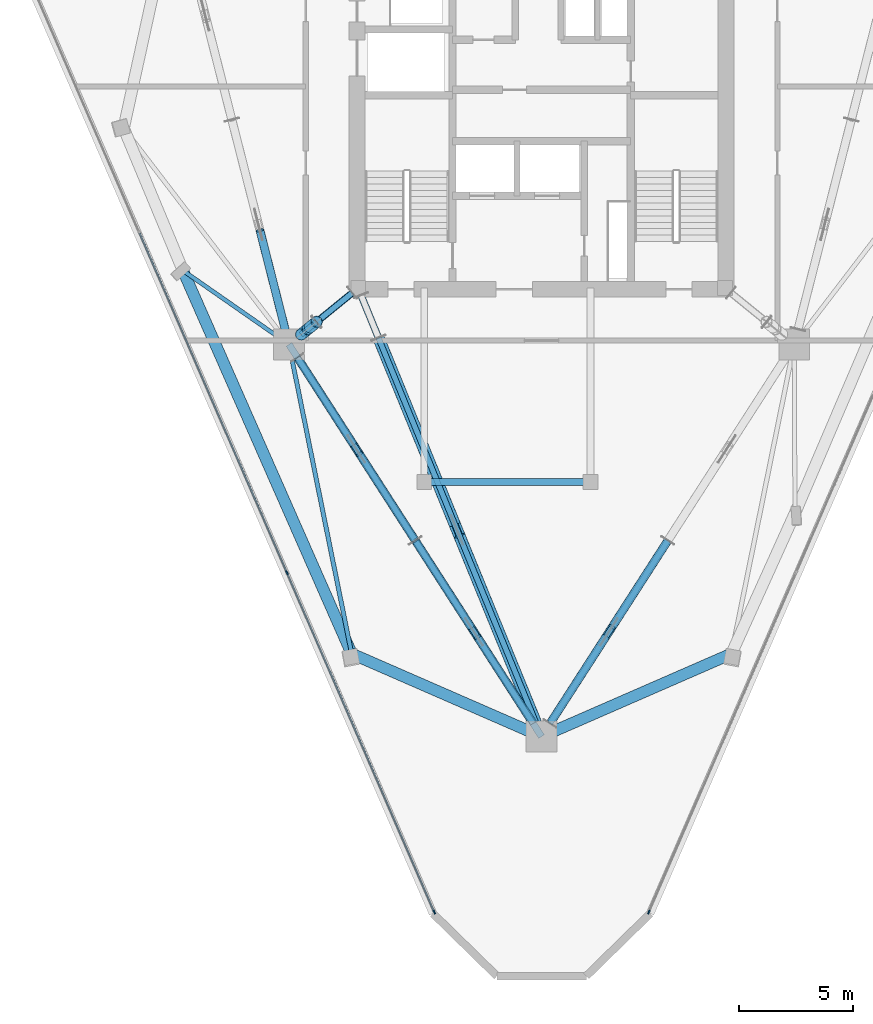
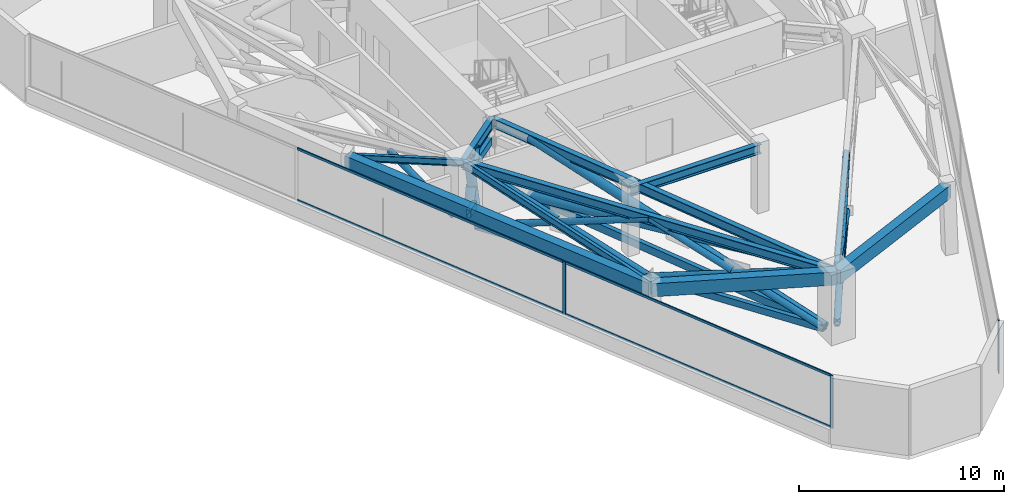
# One storey, part 2 of 12: 35 members, 9 beams, 2 elements without a shape of their own.
"""IFC4 building model written with IfcOpenShell, lengths in metres."""

from ifc_helpers import new_model, si_unit, direction, frame, origin, origin_2d, place, context, subcontext, project, spatial, rectangle, hollow_rectangle, hollow_circle, i_section, extrude, material, layer, layer_set, material_profile, profile_set, type_object, element, aggregate, save


model = new_model("IFC4")

# Units and contexts
model_context = context("Model", 3, precision=1e-05, world=origin(), true_north=direction((0.0, 1.0)))
body_context = subcontext(model_context, "Body", "Model", "MODEL_VIEW")
ifc_project = project(units=[si_unit("LENGTHUNIT", "METRE"), si_unit("AREAUNIT", "SQUARE_METRE"), si_unit("VOLUMEUNIT", "CUBIC_METRE"), si_unit("PLANEANGLEUNIT", "RADIAN"), si_unit("MASSUNIT", "GRAM", prefix="KILO")], contexts=[model_context])

# Site, building, storey
site_placement = place(None, origin())
site = spatial("IfcSite", under=ifc_project, at=site_placement, CompositionType="ELEMENT")
building_placement = place(site_placement, origin())
building = spatial("IfcBuilding", under=site, at=building_placement, Name="Talyreon Biosciences Tower", CompositionType="ELEMENT")
storey_placement = place(building_placement, frame((0.0, 0.0, 227.39990234375)))
storey = spatial("IfcBuildingStorey", under=building, at=storey_placement, Name="L60", CompositionType="ELEMENT", Elevation=227.39990234375)

# Members
ifc_material_1 = material(Name="Steel SM355", Category="steel")
ifc_material_profile_1 = material_profile(ifc_material_1, hollow_circle(Radius=0.177734375, WallThickness=0.01416015625, at=origin_2d()), Name="CHS 355.6x14.2")
ifc_profile_set_1 = profile_set([ifc_material_profile_1], Name="Steel SM355")
member_type_1 = type_object("IfcMemberType", Name="BeltBrace_CHS355", PredefinedType="BRACE", material=ifc_profile_set_1)
member_1_placement = place(storey_placement, frame((66.370849609375, 42.242919921875, 0.239990234375), z_axis=(0.509105929508, 0.790452678432, 0.340581437691), x_axis=(-0.840714795455, 0.541478192269, 0.0)))
element("IfcMember", 1, at=member_1_placement, inside=storey, type_object=member_type_1, Name="L60 Continuous Diagonal BELT-L60-B1S1A", PredefinedType="BRACE", context=body_context, shape_type="SweptSolid", body=[
    extrude(hollow_circle(Radius=0.177734375, WallThickness=0.01416015625, at=origin_2d()), origin(), (0.0, 0.0, 1.0), 10.15966796875),
])
for number, where, z_axis, x_axis, name in (
    (2, (71.543212890625, 50.273681640625, 0.239990234375), (-0.509089253935, -0.790464191768, 0.340579642757), (0.840726459493, -0.541460081916, 0.0), "L60 Split Diagonal BELT-L60-B1S1B-Lower"),
    (3, (68.814453125, 46.037109375, 2.0654296875), (-0.509089253935, -0.790464191768, 0.340579642757), (0.840726459493, -0.541460081916, 0.0), "L60 Split Diagonal BELT-L60-B1S1B-Upper"),
):
    element("IfcMember", number, at=place(storey_placement, frame(where, z_axis=z_axis, x_axis=x_axis)), inside=storey, type_object=member_type_1, Name=name, PredefinedType="BRACE", context=body_context, shape_type="SweptSolid", body=[
        extrude(hollow_circle(Radius=0.177734375, WallThickness=0.01416015625, at=origin_2d()), origin(), (0.0, 0.0, 1.0), 4.800048828125),
    ])
member_2_placement = place(storey_placement, frame((54.744873046875, 59.544189453125, 0.239990234375), z_axis=(-0.23161064965, 0.910472980326, 0.34263020746), x_axis=(-0.969134341584, -0.246533218781, 0.0)))
element("IfcMember", 4, at=member_2_placement, inside=storey, type_object=member_type_1, Name="L60 Split Diagonal BELT-L60-B5S2B-Lower", PredefinedType="BRACE", context=body_context, shape_type="SweptSolid", body=[
    extrude(hollow_circle(Radius=0.177734375, WallThickness=0.01416015625, at=origin_2d()), origin(), (0.0, 0.0, 1.0), 4.769775390625),
])
member_3_placement = place(storey_placement, frame((55.28466796875, 58.304443359375, 0.239990234375), z_axis=(0.509088127268, -0.790462348754, 0.340585604332), x_axis=(0.840726430295, 0.541460127251, 0.0)))
element("IfcMember", 5, at=member_3_placement, inside=storey, type_object=member_type_1, Name="L60 Continuous Diagonal BELT-L60-B6S1A", PredefinedType="BRACE", context=body_context, shape_type="SweptSolid", body=[
    extrude(hollow_circle(Radius=0.177734375, WallThickness=0.01416015625, at=origin_2d()), origin(), (0.0, 0.0, 1.0), 10.15966796875),
])
member_4_placement = place(storey_placement, frame((60.456787109375, 50.273681640625, 0.239990234375), z_axis=(-0.509089253935, 0.790464191768, 0.340579642757), x_axis=(-0.840726459493, -0.541460081916, 0.0)))
element("IfcMember", 6, at=member_4_placement, inside=storey, type_object=member_type_1, Name="L60 Split Diagonal BELT-L60-B6S1B-Lower", PredefinedType="BRACE", context=body_context, shape_type="SweptSolid", body=[
    extrude(hollow_circle(Radius=0.177734375, WallThickness=0.01416015625, at=origin_2d()), origin(), (0.0, 0.0, 1.0), 4.800048828125),
])
member_5_placement = place(storey_placement, frame((57.728271484375, 54.510498046875, 2.0654296875), z_axis=(-0.509109722698, 0.790445108475, 0.340593336316), x_axis=(-0.840710598211, -0.541484708977, 0.0)))
element("IfcMember", 7, at=member_5_placement, inside=storey, type_object=member_type_1, Name="L60 Split Diagonal BELT-L60-B6S1B-Upper", PredefinedType="BRACE", context=body_context, shape_type="SweptSolid", body=[
    extrude(hollow_circle(Radius=0.177734375, WallThickness=0.01416015625, at=origin_2d()), origin(), (0.0, 0.0, 1.0), 4.7998046875),
])
member_6_placement = place(storey_placement, frame((60.456787109375, 50.273681640625, 0.239990234375), z_axis=(0.509105929508, -0.790452678432, 0.340581437691), x_axis=(0.840714795455, 0.541478192269, 0.0)))
element("IfcMember", 8, at=member_6_placement, inside=storey, type_object=member_type_1, Name="L60 Continuous Diagonal BELT-L60-B6S2A", PredefinedType="BRACE", context=body_context, shape_type="SweptSolid", body=[
    extrude(hollow_circle(Radius=0.177734375, WallThickness=0.01416015625, at=origin_2d()), origin(), (0.0, 0.0, 1.0), 10.15966796875),
])
for number, where, z_axis, x_axis, name in (
    (9, (65.629150390625, 42.242919921875, 0.239990234375), (-0.509089253935, 0.790464191768, 0.340579642757), (-0.840726459493, -0.541460081916, 0.0), "L60 Split Diagonal BELT-L60-B6S2B-Lower"),
    (10, (62.900390625, 46.4794921875, 2.0654296875), (-0.509089253935, 0.790464191768, 0.340579642757), (-0.840726459493, -0.541460081916, 0.0), "L60 Split Diagonal BELT-L60-B6S2B-Upper"),
):
    element("IfcMember", number, at=place(storey_placement, frame(where, z_axis=z_axis, x_axis=x_axis)), inside=storey, type_object=member_type_1, Name=name, PredefinedType="BRACE", context=body_context, shape_type="SweptSolid", body=[
        extrude(hollow_circle(Radius=0.177734375, WallThickness=0.01416015625, at=origin_2d()), origin(), (0.0, 0.0, 1.0), 4.800048828125),
    ])
ifc_material_profile_2 = material_profile(ifc_material_1, hollow_rectangle(XDim=0.25, YDim=0.39990234375, WallThickness=0.01611328125, at=origin_2d()), Name="RHS 400x250x16")
ifc_profile_set_2 = profile_set([ifc_material_profile_2], Name="Steel SM355")
member_type_2 = type_object("IfcMemberType", Name="BeltChord_RHS400x250", PredefinedType="CHORD", material=ifc_profile_set_2)
for number, where, z_axis, x_axis, name in (
    (11, (66.370849609375, 42.242919921875, 0.239990234375), (0.541478192269, 0.840714795455, 0.0), (-0.840714795455, 0.541478192269, 0.0), "L60 Truss Bottom Chord BELT-L60-B1S1"),
    (12, (66.370849609375, 42.242919921875, 3.7001953125), (0.541478192269, 0.840714795455, 0.0), (-0.840714795455, 0.541478192269, 0.0), "L60 Truss Top Chord BELT-L60-B1S1"),
    (13, (55.28466796875, 58.304443359375, 0.239990234375), (0.541460127251, -0.840726430295, 0.0), (0.840726430295, 0.541460127251, 0.0), "L60 Truss Bottom Chord BELT-L60-B6S1"),
    (14, (55.28466796875, 58.304443359375, 3.7001953125), (0.541460127251, -0.840726430295, 0.0), (0.840726430295, 0.541460127251, 0.0), "L60 Truss Top Chord BELT-L60-B6S1"),
    (15, (60.456787109375, 50.273681640625, 0.239990234375), (0.541478192269, -0.840714795455, 0.0), (0.840714795455, 0.541478192269, 0.0), "L60 Truss Bottom Chord BELT-L60-B6S2"),
    (16, (60.456787109375, 50.273681640625, 3.7001953125), (0.541478192269, -0.840714795455, 0.0), (0.840714795455, 0.541478192269, 0.0), "L60 Truss Top Chord BELT-L60-B6S2"),
):
    element("IfcMember", number, at=place(storey_placement, frame(where, z_axis=z_axis, x_axis=x_axis)), inside=storey, type_object=member_type_2, Name=name, PredefinedType="CHORD", context=body_context, shape_type="SweptSolid", body=[
        extrude(hollow_rectangle(XDim=0.25, YDim=0.39990234375, WallThickness=0.01611328125, at=origin_2d()), origin(), (0.0, 0.0, 1.0), 9.55224609375),
    ])

# Curtain wall, members
ifc_material_2 = material(Name="Thermally broken aluminium and low-E glazing", Category="aluminium")
ifc_layer = layer(ifc_material_2, 0.179931640625)
ifc_layer_set = layer_set([ifc_layer], Name="Thermally broken aluminium and low-E glazing")
curtain_wall_type = type_object("IfcCurtainWallType", Name="CurtainWall_Zone4Optical", PredefinedType="NOTDEFINED", material=ifc_layer_set)
curtain_wall_1_placement = place(storey_placement, origin())
curtain_wall_1 = element("IfcCurtainWall", 17, at=curtain_wall_1_placement, inside=storey, type_object=curtain_wall_type, Name="L60 Unitised Curtain Wall FCW-L60-00", PredefinedType="NOTDEFINED")
ifc_material_3 = material(Name="Anodised thermally broken aluminium", Category="aluminium")
ifc_material_profile_3 = material_profile(ifc_material_3, rectangle(XDim=0.06494140625, YDim=0.179931640625, at=origin_2d()), Name="ALUM MULLION 65x180")
ifc_profile_set_3 = profile_set([ifc_material_profile_3], Name="Anodised thermally broken aluminium")
member_type_3 = type_object("IfcMemberType", Name="CWMullion_65x180", PredefinedType="MULLION", material=ifc_profile_set_3)
member_7_placement = place(storey_placement, frame((61.290283203125, 33.96142578125, 0.81005859375), z_axis=(0.0, 0.0, 1.0), x_axis=(-0.917336640876, -0.398112405366, 0.0)))
member_7 = element("IfcMember", 18, at=member_7_placement, type_object=member_type_3, Name="CW5 mullion 1", PredefinedType="MULLION", context=body_context, shape_type="SweptSolid", body=[
    extrude(rectangle(XDim=0.06494140625, YDim=0.179931640625, at=origin_2d()), origin(), (0.0, 0.0, 1.0), 3.14013671875),
])
member_8_placement = place(storey_placement, frame((54.824951171875, 48.85888671875, 0.81005859375), z_axis=(0.0, 0.0, 1.0), x_axis=(-0.917336640876, -0.398112405366, 0.0)))
member_8 = element("IfcMember", 19, at=member_8_placement, type_object=member_type_3, Name="CW5 mullion 2", PredefinedType="MULLION", context=body_context, shape_type="SweptSolid", body=[
    extrude(rectangle(XDim=0.06494140625, YDim=0.179931640625, at=origin_2d()), origin(), (0.0, 0.0, 1.0), 3.14013671875),
])

# Curtain wall, member
curtain_wall_2_placement = place(storey_placement, origin())
curtain_wall_2 = element("IfcCurtainWall", 20, at=curtain_wall_2_placement, inside=storey, type_object=curtain_wall_type, Name="L60 Unitised Curtain Wall FCW-L60-08", PredefinedType="NOTDEFINED")
member_9_placement = place(storey_placement, frame((70.709716796875, 33.96142578125, 0.81005859375), z_axis=(0.0, 0.0, 1.0), x_axis=(0.917336640876, -0.398112405366, 0.0)))
member_9 = element("IfcMember", 21, at=member_9_placement, type_object=member_type_3, Name="CW5 mullion 4", PredefinedType="MULLION", context=body_context, shape_type="SweptSolid", body=[
    extrude(rectangle(XDim=0.06494140625, YDim=0.179931640625, at=origin_2d()), origin(), (0.0, 0.0, 1.0), 3.14013671875),
])
aggregate(curtain_wall_2, [member_9])

# Member
ifc_material_profile_4 = material_profile(ifc_material_3, rectangle(XDim=0.06494140625, YDim=0.139892578125, at=origin_2d()), Name="ALUM TRANSOM 65x140")
ifc_profile_set_4 = profile_set([ifc_material_profile_4], Name="Anodised thermally broken aluminium")
member_type_4 = type_object("IfcMemberType", Name="CWTransom_65x140", PredefinedType="USERDEFINED", material=ifc_profile_set_4)
member_10_placement = place(storey_placement, frame((61.27734375, 33.9912109375, 0.842529296875), z_axis=(-0.398117802668, 0.917334298497, 0.0), x_axis=(-0.917334298497, -0.398117802668, 0.0)))
member_10 = element("IfcMember", 22, at=member_10_placement, type_object=member_type_4, Name="CW5 transom 1.1", ObjectType="TRANSOM", PredefinedType="USERDEFINED", context=body_context, shape_type="SweptSolid", body=[
    extrude(rectangle(XDim=0.06494140625, YDim=0.139892578125, at=origin_2d()), origin(), (0.0, 0.0, 1.0), 16.1748046875),
])

member_11_placement = place(storey_placement, frame((61.27734375, 33.9912109375, 3.91748046875), z_axis=(-0.398117802668, 0.917334298497, 0.0), x_axis=(-0.917334298497, -0.398117802668, 0.0)))
member_11 = element("IfcMember", 23, at=member_11_placement, type_object=member_type_4, Name="CW5 transom 1.2", ObjectType="TRANSOM", PredefinedType="USERDEFINED", context=body_context, shape_type="SweptSolid", body=[
    extrude(rectangle(XDim=0.06494140625, YDim=0.139892578125, at=origin_2d()), origin(), (0.0, 0.0, 1.0), 16.1748046875),
])

member_12_placement = place(storey_placement, frame((54.81201171875, 48.888671875, 0.842529296875), z_axis=(-0.398118470733, 0.91733400856, 0.0), x_axis=(-0.91733400856, -0.398118470733, 0.0)))
member_12 = element("IfcMember", 24, at=member_12_placement, type_object=member_type_4, Name="CW5 transom 2.1", ObjectType="TRANSOM", PredefinedType="USERDEFINED", context=body_context, shape_type="SweptSolid", body=[
    extrude(rectangle(XDim=0.06494140625, YDim=0.139892578125, at=origin_2d()), origin(), (0.0, 0.0, 1.0), 16.207275390625),
])

member_13_placement = place(storey_placement, frame((54.81201171875, 48.888671875, 3.91748046875), z_axis=(-0.398118470733, 0.91733400856, 0.0), x_axis=(-0.91733400856, -0.398118470733, 0.0)))
member_13 = element("IfcMember", 25, at=member_13_placement, type_object=member_type_4, Name="CW5 transom 2.2", ObjectType="TRANSOM", PredefinedType="USERDEFINED", context=body_context, shape_type="SweptSolid", body=[
    extrude(rectangle(XDim=0.06494140625, YDim=0.139892578125, at=origin_2d()), origin(), (0.0, 0.0, 1.0), 16.207275390625),
])

aggregate(curtain_wall_1, [member_7, member_8, member_10, member_11, member_12, member_13])

# Beams
ifc_material_4 = material(Name="Precast concrete C45/55", Category="concrete")
ifc_material_profile_5 = material_profile(ifc_material_4, rectangle(XDim=0.5, YDim=0.780029296875, at=origin_2d()), Name="RCB 500x780")
ifc_profile_set_5 = profile_set([ifc_material_profile_5], Name="Precast concrete C45/55")
beam_type_1 = type_object("IfcBeamType", Name="ExpressedSpandrel_500x780", PredefinedType="SPANDREL", material=ifc_profile_set_5)
beam_1_placement = place(storey_placement, frame((66.0, 41.6669921875, 3.56005859375), z_axis=(0.916525420905, 0.399976440349, 0.0), x_axis=(-0.399976440349, 0.916525420905, 0.0)))
element("IfcBeam", 26, at=beam_1_placement, inside=storey, type_object=beam_type_1, Name="L60 Expressed Horizontal Concrete Spandrel 01", PredefinedType="SPANDREL", context=body_context, shape_type="SweptSolid", body=[
    extrude(rectangle(XDim=0.5, YDim=0.780029296875, at=origin_2d()), origin(), (0.0, 0.0, 1.0), 9.093505859375),
])
beam_2_placement = place(storey_placement, frame((50.26025390625, 62.12109375, 3.56005859375), z_axis=(0.403004860705, -0.915197837764, 0.0), x_axis=(0.915197837764, 0.403004860705, 0.0)))
element("IfcBeam", 27, at=beam_2_placement, inside=storey, type_object=beam_type_1, Name="L60 Expressed Horizontal Concrete Spandrel 11", PredefinedType="SPANDREL", context=body_context, shape_type="SweptSolid", body=[
    extrude(rectangle(XDim=0.5, YDim=0.780029296875, at=origin_2d()), origin(), (0.0, 0.0, 1.0), 18.375244140625),
])
beam_3_placement = place(storey_placement, frame((57.66552734375, 45.30419921875, 3.56005859375), z_axis=(0.916525420905, -0.399976440349, 0.0), x_axis=(0.399976440349, 0.916525420905, 0.0)))
element("IfcBeam", 28, at=beam_3_placement, inside=storey, type_object=beam_type_1, Name="L60 Expressed Horizontal Concrete Spandrel 12", PredefinedType="SPANDREL", context=body_context, shape_type="SweptSolid", body=[
    extrude(rectangle(XDim=0.5, YDim=0.780029296875, at=origin_2d()), origin(), (0.0, 0.0, 1.0), 9.093505859375),
])

# Members
ifc_material_profile_6 = material_profile(ifc_material_1, hollow_circle(Radius=0.25390625, WallThickness=0.02001953125, at=origin_2d()), Name="CHS 508x20")
ifc_profile_set_6 = profile_set([ifc_material_profile_6], Name="Steel SM355")
member_type_5 = type_object("IfcMemberType", Name="OutriggerBrace_CHS508", PredefinedType="BRACE", material=ifc_profile_set_6)
member_14_placement = place(storey_placement, frame((58.839599609375, 59.1748046875, 0.239990234375), z_axis=(0.371904635947, -0.909348739454, 0.186472013489), x_axis=(0.925583216307, 0.378544197803, 0.0)))
element("IfcMember", 29, at=member_14_placement, inside=storey, type_object=member_type_5, Name="L60 Continuous Diagonal OUT-L60-R1A", PredefinedType="BRACE", context=body_context, shape_type="SweptSolid", body=[
    extrude(hollow_circle(Radius=0.25390625, WallThickness=0.02001953125, at=origin_2d()), origin(), (0.0, 0.0, 1.0), 18.55615234375),
])
member_15_placement = place(storey_placement, frame((65.74072265625, 42.30078125, 0.239990234375), z_axis=(-0.371896272193, 0.909351094975, 0.186477207178), x_axis=(-0.925586542597, -0.378536064548, 0.0)))
element("IfcMember", 30, at=member_15_placement, inside=storey, type_object=member_type_5, Name="L60 Split Diagonal OUT-L60-R1B-Lower", PredefinedType="BRACE", context=body_context, shape_type="SweptSolid", body=[
    extrude(hollow_circle(Radius=0.25390625, WallThickness=0.02001953125, at=origin_2d()), origin(), (0.0, 0.0, 1.0), 8.998291015625),
])
member_16_placement = place(storey_placement, frame((62.18603515625, 50.992431640625, 2.022216796875), z_axis=(-0.371905447961, 0.909346398805, 0.186481808115), x_axis=(-0.925582585324, -0.378545740625, 0.0)))
element("IfcMember", 31, at=member_16_placement, inside=storey, type_object=member_type_5, Name="L60 Split Diagonal OUT-L60-R1B-Upper", PredefinedType="BRACE", context=body_context, shape_type="SweptSolid", body=[
    extrude(hollow_circle(Radius=0.25390625, WallThickness=0.02001953125, at=origin_2d()), origin(), (0.0, 0.0, 1.0), 8.998046875),
])
member_17_placement = place(storey_placement, frame((56.126953125, 59.8671875, 0.239990234375), z_axis=(-0.190932518303, -0.155372020624, 0.969228718447), x_axis=(0.631178128643, -0.775637911607, 0.0)))
element("IfcMember", 32, at=member_17_placement, inside=storey, type_object=member_type_5, Name="L60 Continuous Diagonal OUT-L60-R6A", PredefinedType="BRACE", context=body_context, shape_type="SweptSolid", body=[
    extrude(hollow_circle(Radius=0.25390625, WallThickness=0.02001953125, at=origin_2d()), origin(), (0.0, 0.0, 1.0), 3.570068359375),
])
for number, where, z_axis, x_axis, name in (
    (33, (55.4453125, 59.3125, 0.239990234375), (0.190925272634, 0.155400519272, 0.969225576881), (-0.631262180916, 0.775569506199, 0.0), "L60 Split Diagonal OUT-L60-R6B-Lower"),
    (34, (55.839599609375, 59.63330078125, 2.241455078125), (0.190925272634, 0.155400519272, 0.969225576881), (-0.631262180916, 0.775569506199, 0.0), "L60 Split Diagonal OUT-L60-R6B-Upper"),
):
    element("IfcMember", number, at=place(storey_placement, frame(where, z_axis=z_axis, x_axis=x_axis)), inside=storey, type_object=member_type_5, Name=name, PredefinedType="BRACE", context=body_context, shape_type="SweptSolid", body=[
        extrude(hollow_circle(Radius=0.25390625, WallThickness=0.02001953125, at=origin_2d()), origin(), (0.0, 0.0, 1.0), 1.505126953125),
    ])
ifc_material_profile_7 = material_profile(ifc_material_1, hollow_rectangle(XDim=0.25, YDim=0.449951171875, WallThickness=0.01611328125, at=origin_2d()), Name="RHS 450x250x16")
ifc_profile_set_7 = profile_set([ifc_material_profile_7], Name="Steel SM355")
member_type_6 = type_object("IfcMemberType", Name="OutriggerChord_RHS450x250", PredefinedType="CHORD", material=ifc_profile_set_7)
for number, where, z_axis, x_axis, name in (
    (35, (58.839599609375, 59.1748046875, 0.239990234375), (0.378544197803, -0.925583216307, 0.0), (0.925583216307, 0.378544197803, 0.0), "L60 Truss Bottom Chord OUT-L60-R1"),
    (36, (58.839599609375, 59.1748046875, 3.7001953125), (0.378544197803, -0.925583216307, 0.0), (0.925583216307, 0.378544197803, 0.0), "L60 Truss Top Chord OUT-L60-R1"),
):
    element("IfcMember", number, at=place(storey_placement, frame(where, z_axis=z_axis, x_axis=x_axis)), inside=storey, type_object=member_type_6, Name=name, PredefinedType="CHORD", context=body_context, shape_type="SweptSolid", body=[
        extrude(hollow_rectangle(XDim=0.25, YDim=0.449951171875, WallThickness=0.01611328125, at=origin_2d()), origin(), (0.0, 0.0, 1.0), 18.230712890625),
    ])
for number, where, z_axis, x_axis, name in (
    (37, (57.690185546875, 61.138671875, 3.7001953125), (-0.77578405512, -0.63099849431, 0.0), (0.63099849431, -0.77578405512, 0.0), "L60 Outrigger Core Top Tie 6"),
    (38, (57.690185546875, 61.138671875, 2.7001953125), (-0.77578405512, -0.63099849431, 0.0), (0.63099849431, -0.77578405512, 0.0), "L60 Outrigger Core Plenum Tie 6"),
):
    element("IfcMember", number, at=place(storey_placement, frame(where, z_axis=z_axis, x_axis=x_axis)), inside=storey, type_object=member_type_6, Name=name, PredefinedType="CHORD", context=body_context, shape_type="SweptSolid", body=[
        extrude(hollow_rectangle(XDim=0.25, YDim=0.449951171875, WallThickness=0.01611328125, at=origin_2d()), origin(), (0.0, 0.0, 1.0), 2.01513671875),
    ])
for number, where, z_axis, x_axis, name in (
    (39, (56.126953125, 59.8671875, 0.239990234375), (-0.775637911607, -0.631178128643, 0.0), (0.631178128643, -0.775637911607, 0.0), "L60 Truss Bottom Chord OUT-L60-R6"),
    (40, (56.126953125, 59.8671875, 3.7001953125), (-0.775637911607, -0.631178128643, 0.0), (0.631178128643, -0.775637911607, 0.0), "L60 Truss Top Chord OUT-L60-R6"),
):
    element("IfcMember", number, at=place(storey_placement, frame(where, z_axis=z_axis, x_axis=x_axis)), inside=storey, type_object=member_type_6, Name=name, PredefinedType="CHORD", context=body_context, shape_type="SweptSolid", body=[
        extrude(hollow_rectangle(XDim=0.25, YDim=0.449951171875, WallThickness=0.01611328125, at=origin_2d()), origin(), (0.0, 0.0, 1.0), 0.87890625),
    ])

# Beams
ifc_material_profile_8 = material_profile(ifc_material_1, i_section(OverallWidth=0.300048828125, OverallDepth=0.550048828125, WebThickness=0.014892578125, FlangeThickness=0.029052734375, FilletRadius=0.027099609375, at=origin_2d()), Name="HE550B")
ifc_profile_set_8 = profile_set([ifc_material_profile_8], Name="Steel SM355")
beam_type_2 = type_object("IfcBeamType", Name="SteelBeam_HE550B", PredefinedType="BEAM", material=ifc_profile_set_8)
beam_4_placement = place(storey_placement, frame((54.913818359375, 58.88037109375, 3.675048828125), z_axis=(0.541463723609, -0.840724114092, 0.0), x_axis=(0.840724114092, 0.541463723609, 0.0)))
element("IfcBeam", 41, at=beam_4_placement, inside=storey, type_object=beam_type_2, Name="L60 Mega-Ring Girder 6", PredefinedType="BEAM", context=body_context, shape_type="SweptSolid", body=[
    extrude(i_section(OverallWidth=0.300048828125, OverallDepth=0.550048828125, WebThickness=0.014892578125, FlangeThickness=0.029052734375, FilletRadius=0.027099609375, at=origin_2d()), origin(), (0.0, 0.0, 1.0), 20.474365234375),
])
beam_5_placement = place(storey_placement, frame((57.949951171875, 61.35009765625, 3.675048828125), z_axis=(0.378547014545, -0.925582064314, 0.0), x_axis=(0.925582064314, 0.378547014545, 0.0)))
element("IfcBeam", 42, at=beam_5_placement, inside=storey, type_object=beam_type_2, Name="L60 Radial Primary Girder 1", PredefinedType="BEAM", context=body_context, shape_type="SweptSolid", body=[
    extrude(i_section(OverallWidth=0.300048828125, OverallDepth=0.550048828125, WebThickness=0.014892578125, FlangeThickness=0.029052734375, FilletRadius=0.027099609375, at=origin_2d()), origin(), (0.0, 0.0, 1.0), 21.265625),
])
beam_6_placement = place(storey_placement, frame((57.949951171875, 61.35009765625, 3.675048828125), z_axis=(-0.775755154013, -0.631034025249, 0.0), x_axis=(0.631034025249, -0.775755154013, 0.0)))
element("IfcBeam", 43, at=beam_6_placement, inside=storey, type_object=beam_type_2, Name="L60 Radial Primary Girder 6", PredefinedType="BEAM", context=body_context, shape_type="SweptSolid", body=[
    extrude(i_section(OverallWidth=0.300048828125, OverallDepth=0.550048828125, WebThickness=0.014892578125, FlangeThickness=0.029052734375, FilletRadius=0.027099609375, at=origin_2d()), origin(), (0.0, 0.0, 1.0), 3.913818359375),
])
beam_7_placement = place(storey_placement, frame((60.85009765625, 52.840087890625, 3.675048828125), z_axis=(1.0, 0.0, 0.0), x_axis=(0.0, 1.0, 0.0)))
element("IfcBeam", 44, at=beam_7_placement, inside=storey, type_object=beam_type_2, Name="L60 Crown Shaft Spine Girder S", PredefinedType="BEAM", context=body_context, shape_type="SweptSolid", body=[
    extrude(i_section(OverallWidth=0.300048828125, OverallDepth=0.550048828125, WebThickness=0.014892578125, FlangeThickness=0.029052734375, FilletRadius=0.027099609375, at=origin_2d()), origin(), (0.0, 0.0, 1.0), 7.2998046875),
])
ifc_material_profile_9 = material_profile(ifc_material_1, i_section(OverallWidth=0.179931640625, OverallDepth=0.39990234375, WebThickness=0.008544921875, FlangeThickness=0.013427734375, FilletRadius=0.02099609375, at=origin_2d()), Name="IPE400")
ifc_profile_set_9 = profile_set([ifc_material_profile_9], Name="Steel SM355")
beam_type_3 = type_object("IfcBeamType", Name="SteelJoist_IPE400", PredefinedType="JOIST", material=ifc_profile_set_9)
beam_8_placement = place(storey_placement, frame((54.913818359375, 58.88037109375, 3.75), z_axis=(-0.820619034379, 0.57147563414, 0.0), x_axis=(-0.57147563414, -0.820619034379, 0.0)))
element("IfcBeam", 45, at=beam_8_placement, inside=storey, type_object=beam_type_3, Name="L60 Radial Composite Floor Joist PL-SW", PredefinedType="JOIST", context=body_context, shape_type="SweptSolid", body=[
    extrude(i_section(OverallWidth=0.179931640625, OverallDepth=0.39990234375, WebThickness=0.008544921875, FlangeThickness=0.013427734375, FilletRadius=0.02099609375, at=origin_2d()), origin(), (0.0, 0.0, 1.0), 5.6708984375),
])
ifc_material_profile_10 = material_profile(ifc_material_1, i_section(OverallWidth=0.18994140625, OverallDepth=0.449951171875, WebThickness=0.009521484375, FlangeThickness=0.0146484375, FilletRadius=0.02099609375, at=origin_2d()), Name="IPE450")
ifc_profile_set_10 = profile_set([ifc_material_profile_10], Name="Steel SM355")
beam_type_4 = type_object("IfcBeamType", Name="SteelJoist_IPE450", PredefinedType="JOIST", material=ifc_profile_set_10)
beam_9_placement = place(storey_placement, frame((54.913818359375, 58.88037109375, 3.72509765625), z_axis=(0.198647328886, -0.980071037592, 0.0), x_axis=(0.980071037592, 0.198647328886, 0.0)))
element("IfcBeam", 46, at=beam_9_placement, inside=storey, type_object=beam_type_4, Name="L60 Radial Composite Floor Joist PC-SW2", PredefinedType="JOIST", context=body_context, shape_type="SweptSolid", body=[
    extrude(i_section(OverallWidth=0.18994140625, OverallDepth=0.449951171875, WebThickness=0.009521484375, FlangeThickness=0.0146484375, FilletRadius=0.02099609375, at=origin_2d()), origin(), (0.0, 0.0, 1.0), 13.852294921875),
])

save(model, "model.ifc")
